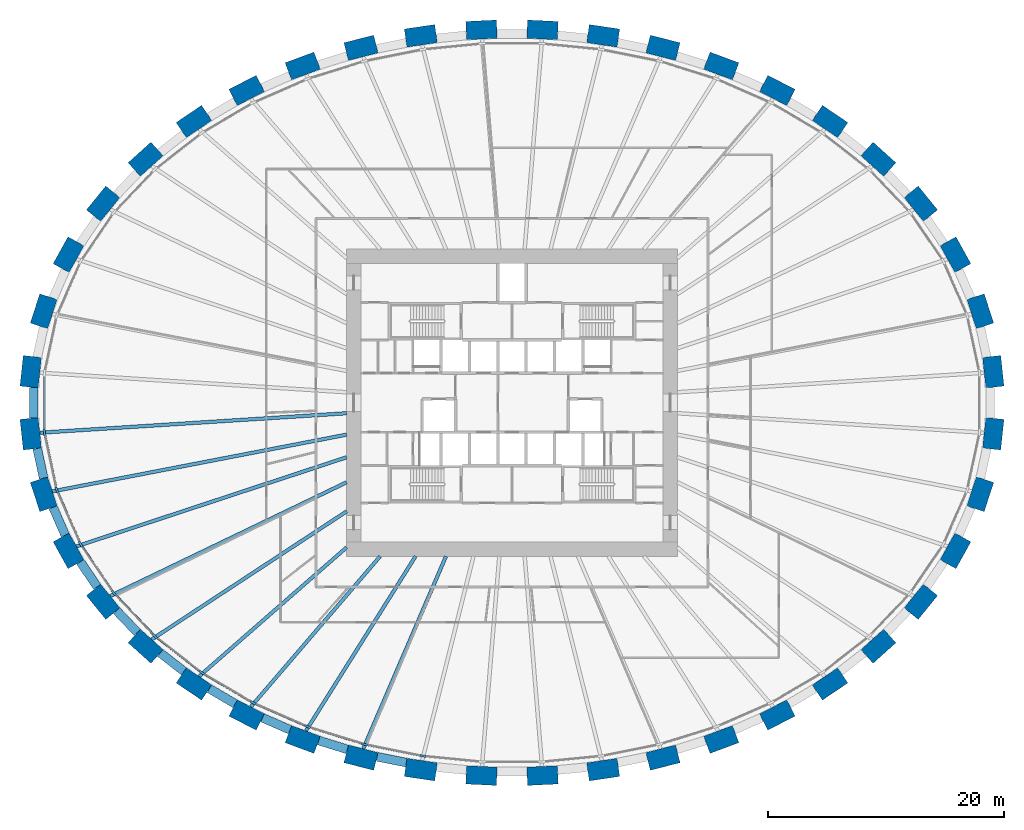
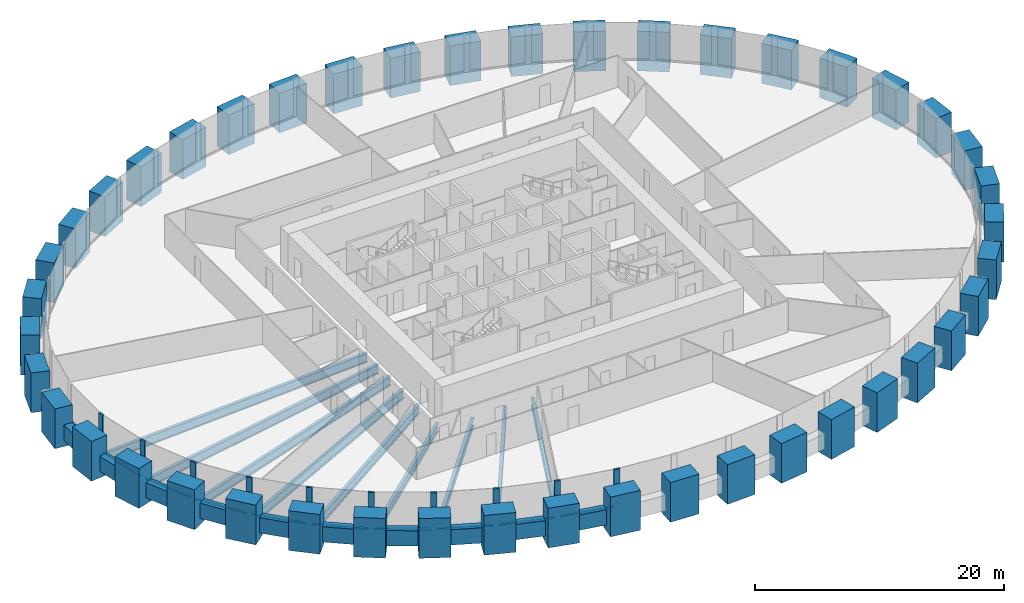
# One storey, part 1 of 11: 44 columns, 20 members, 19 beams, 1 element without a shape of its own.
"""IFC4 building model written with IfcOpenShell, lengths in metres."""

from ifc_helpers import new_model, si_unit, direction, frame, origin, origin_2d, place, context, subcontext, project, spatial, rectangle, i_section, extrude, source, transform, mapped, material, material_profile, profile_set, type_object, element, aggregate, save


model = new_model("IFC4")

# Units and contexts
model_context = context("Model", 3, precision=1e-05, world=origin(), true_north=direction((0.0, 1.0)))
body_context = subcontext(model_context, "Body", "Model", "MODEL_VIEW")
ifc_project = project(units=[si_unit("LENGTHUNIT", "METRE"), si_unit("AREAUNIT", "SQUARE_METRE"), si_unit("VOLUMEUNIT", "CUBIC_METRE"), si_unit("PLANEANGLEUNIT", "RADIAN"), si_unit("MASSUNIT", "GRAM", prefix="KILO")], contexts=[model_context])

# Site, building, storey
site_placement = place(None, origin())
site = spatial("IfcSite", under=ifc_project, at=site_placement, CompositionType="ELEMENT")
building_placement = place(site_placement, origin())
building = spatial("IfcBuilding", under=site, at=building_placement, Name="Embergate Tower", CompositionType="ELEMENT")
storey_placement = place(building_placement, frame((0.0, 0.0, 77.60009765625)))
storey = spatial("IfcBuildingStorey", under=building, at=storey_placement, Name="L15", CompositionType="ELEMENT", Elevation=77.60009765625)

# Columns
ifc_material_1 = material(Name="Concrete C70", Category="concrete")
ifc_material_profile_1 = material_profile(ifc_material_1, rectangle(XDim=1.550048828125, YDim=2.60009765625, at=origin_2d()), Name="RC 1550x2600")
ifc_profile_set_1 = profile_set([ifc_material_profile_1], Name="Concrete C70")
column_type = type_object("IfcColumnType", Name="Ring column RC 1550x2600 C70", PredefinedType="COLUMN", material=ifc_profile_set_1)
shared_shape_1 = source(origin(), body_context, "Body", "SweptSolid", [
    extrude(rectangle(XDim=1.550048828125, YDim=2.60009765625, at=origin_2d()), origin(), (0.0, 0.0, 1.0), 3.900146484375),
])
for number, where, z_axis, x_axis, name in (
    (1, (40.7529296875, 2.623046875, -1.400146484375), (0.0, 0.0, 1.0), (0.99428589498, 0.106749983816, 0.0), "COL-L15-00"),
    (2, (39.65087890625, 7.7470703125, -1.400146484375), (0.0, 0.0, 1.0), (0.950754033697, 0.309946394413, 0.0), "COL-L15-01"),
    (3, (37.550048828125, 12.5380859375, -1.400146484375), (0.0, 0.0, 1.0), (0.873500465855, 0.486823311018, 0.0), "COL-L15-02"),
    (4, (34.615966796875, 16.85302734375, -1.400146484375), (0.0, 0.0, 1.0), (0.775925311702, 0.630824786022, 0.0), "COL-L15-03"),
    (5, (31.02490234375, 20.618896484375, -1.400146484375), (0.0, 0.0, 1.0), (0.669208424634, 0.74307475021, 0.0), "COL-L15-04"),
    (6, (26.930908203125, 23.81396484375, -1.400146484375), (0.0, 0.0, 1.0), (0.560393279442, 0.828226643109, 0.0), "COL-L15-05"),
    (7, (22.464111328125, 26.44091796875, -1.400146484375), (0.0, 0.0, 1.0), (0.453010512651, 0.891505174089, 0.0), "COL-L15-06"),
    (8, (17.721923828125, 28.514892578125, -1.400146484375), (0.0, 0.0, 1.0), (0.348343015724, 0.93736713373, 0.0), "COL-L15-07"),
    (9, (12.785888671875, 30.052001953125, -1.400146484375), (0.0, 0.0, 1.0), (0.24650851817, 0.969140624713, 0.0), "COL-L15-08"),
    (10, (7.720947265625, 31.068115234375, -1.400146484375), (0.0, 0.0, 1.0), (0.146929011949, 0.989147039346, 0.0), "COL-L15-09"),
    (11, (2.58203125, 31.572998046875, -1.400146484375), (0.0, 0.0, 1.0), (0.048814904854, 0.998807841912, 0.0), "COL-L15-10"),
    (12, (-2.58203125, 31.572998046875, -1.400146484375), (0.0, 0.0, 1.0), (-0.048814904854, 0.998807841912, 0.0), "COL-L15-11"),
    (13, (-7.720947265625, 31.068115234375, -1.400146484375), (0.0, 0.0, 1.0), (-0.146929011949, 0.989147039346, 0.0), "COL-L15-12"),
    (14, (-12.785888671875, 30.052001953125, -1.400146484375), (0.0, 0.0, 1.0), (-0.24650851817, 0.969140624713, 0.0), "COL-L15-13"),
    (15, (-17.721923828125, 28.514892578125, -1.400146484375), (0.0, 0.0, 1.0), (-0.348343015724, 0.93736713373, 0.0), "COL-L15-14"),
    (16, (-22.464111328125, 26.44091796875, -1.400146484375), (0.0, 0.0, 1.0), (-0.453010512651, 0.891505174089, 0.0), "COL-L15-15"),
    (17, (-26.930908203125, 23.81396484375, -1.400146484375), (0.0, 0.0, 1.0), (-0.560393279442, 0.828226643109, 0.0), "COL-L15-16"),
    (18, (-31.02490234375, 20.618896484375, -1.400146484375), (0.0, 0.0, 1.0), (-0.669208424634, 0.74307475021, 0.0), "COL-L15-17"),
    (19, (-34.615966796875, 16.85302734375, -1.400146484375), (0.0, 0.0, 1.0), (-0.775925311702, 0.630824786022, 0.0), "COL-L15-18"),
    (20, (-37.550048828125, 12.5380859375, -1.400146484375), (0.0, 0.0, 1.0), (-0.873500465855, 0.486823311018, 0.0), "COL-L15-19"),
    (21, (-39.65087890625, 7.7470703125, -1.400146484375), (0.0, 0.0, 1.0), (-0.950754033697, 0.309946394413, 0.0), "COL-L15-20"),
    (22, (-40.7529296875, 2.623046875, -1.400146484375), (0.0, 0.0, 1.0), (-0.99428589498, 0.106749983816, 0.0), "COL-L15-21"),
    (23, (-40.7529296875, -2.623046875, -1.400146484375), (0.0, 0.0, 1.0), (-0.99428589498, -0.106749983816, 0.0), "COL-L15-22"),
    (24, (-39.65087890625, -7.7470703125, -1.400146484375), (0.0, 0.0, 1.0), (-0.950754033697, -0.309946394413, 0.0), "COL-L15-23"),
    (25, (-37.550048828125, -12.5380859375, -1.400146484375), (0.0, 0.0, 1.0), (-0.873500465855, -0.486823311018, 0.0), "COL-L15-24"),
    (26, (-34.615966796875, -16.85302734375, -1.400146484375), (0.0, 0.0, 1.0), (-0.775925311702, -0.630824786022, 0.0), "COL-L15-25"),
    (27, (-31.02490234375, -20.618896484375, -1.400146484375), (0.0, 0.0, 1.0), (-0.669208424634, -0.74307475021, 0.0), "COL-L15-26"),
    (28, (-26.930908203125, -23.81396484375, -1.400146484375), (0.0, 0.0, 1.0), (-0.560393279442, -0.828226643109, 0.0), "COL-L15-27"),
    (29, (-22.464111328125, -26.44091796875, -1.400146484375), (0.0, 0.0, 1.0), (-0.453010512651, -0.891505174089, 0.0), "COL-L15-28"),
    (30, (-17.721923828125, -28.514892578125, -1.400146484375), (0.0, 0.0, 1.0), (-0.348343015724, -0.93736713373, 0.0), "COL-L15-29"),
    (31, (-12.785888671875, -30.052001953125, -1.400146484375), (0.0, 0.0, 1.0), (-0.24650851817, -0.969140624713, 0.0), "COL-L15-30"),
    (32, (-7.720947265625, -31.068115234375, -1.400146484375), (0.0, 0.0, 1.0), (-0.146929011949, -0.989147039346, 0.0), "COL-L15-31"),
    (33, (-2.58203125, -31.572998046875, -1.400146484375), (0.0, 0.0, 1.0), (-0.048814904854, -0.998807841912, 0.0), "COL-L15-32"),
    (34, (2.58203125, -31.572998046875, -1.400146484375), (0.0, 0.0, 1.0), (0.048814904854, -0.998807841912, 0.0), "COL-L15-33"),
    (35, (7.720947265625, -31.068115234375, -1.400146484375), (0.0, 0.0, 1.0), (0.146929011949, -0.989147039346, 0.0), "COL-L15-34"),
    (36, (12.785888671875, -30.052001953125, -1.400146484375), (0.0, 0.0, 1.0), (0.24650851817, -0.969140624713, 0.0), "COL-L15-35"),
    (37, (17.721923828125, -28.514892578125, -1.400146484375), (0.0, 0.0, 1.0), (0.348343015724, -0.93736713373, 0.0), "COL-L15-36"),
    (38, (22.464111328125, -26.44091796875, -1.400146484375), (0.0, 0.0, 1.0), (0.453010512651, -0.891505174089, 0.0), "COL-L15-37"),
    (39, (26.930908203125, -23.81396484375, -1.400146484375), (0.0, 0.0, 1.0), (0.560393279442, -0.828226643109, 0.0), "COL-L15-38"),
    (40, (31.02490234375, -20.618896484375, -1.400146484375), (0.0, 0.0, 1.0), (0.669208424634, -0.74307475021, 0.0), "COL-L15-39"),
    (41, (34.615966796875, -16.85302734375, -1.400146484375), (0.0, 0.0, 1.0), (0.775925311702, -0.630824786022, 0.0), "COL-L15-40"),
    (42, (37.550048828125, -12.5380859375, -1.400146484375), (0.0, 0.0, 1.0), (0.873500465855, -0.486823311018, 0.0), "COL-L15-41"),
    (43, (39.65087890625, -7.7470703125, -1.400146484375), (0.0, 0.0, 1.0), (0.950754033697, -0.309946394413, 0.0), "COL-L15-42"),
    (44, (40.7529296875, -2.623046875, -1.400146484375), (0.0, 0.0, 1.0), (0.99428589498, -0.106749983816, 0.0), "COL-L15-43"),
):
    element("IfcColumn", number, at=place(storey_placement, frame(where, z_axis=z_axis, x_axis=x_axis)), inside=storey, type_object=column_type, Name=name, PredefinedType="COLUMN", context=body_context, shape_type="MappedRepresentation", body=[
        mapped(shared_shape_1, transform((0.0, 0.0, 0.0))),
    ])

# Beams
ifc_material_profile_2 = material_profile(ifc_material_1, rectangle(XDim=0.75, YDim=1.5, at=origin_2d()), Name="RC 750x1500")
ifc_profile_set_2 = profile_set([ifc_material_profile_2], Name="Concrete C70")
beam_type_1 = type_object("IfcBeamType", Name="Spandrel beam RC 750x1500 C70", PredefinedType="BEAM", material=ifc_profile_set_2)
shared_shape_2 = source(origin(), body_context, "Body", "SweptSolid", [
    extrude(rectangle(XDim=0.75, YDim=1.5, at=origin_2d()), origin(), (0.0, 0.0, 1.0), 2.5498046875),
])
beam_1_placement = place(storey_placement, frame((-33.48388671875, -17.60791015625, 0.0), z_axis=(0.689760361446, -0.724037736432, 0.0), x_axis=(0.724037736432, 0.689760361446, 0.0)))
element("IfcBeam", 45, at=beam_1_placement, inside=storey, type_object=beam_type_1, Name="SPN-L15-25", PredefinedType="BEAM", context=body_context, shape_type="MappedRepresentation", body=[
    mapped(shared_shape_2, transform((0.0, 0.0, 0.0))),
])
shared_shape_3 = source(origin(), body_context, "Body", "SweptSolid", [
    extrude(rectangle(XDim=0.75, YDim=1.5, at=origin_2d()), origin(), (0.0, 0.0, 1.0), 2.5693359375),
])
beam_2_placement = place(storey_placement, frame((-40.201904296875, -3.87109375, 0.0), z_axis=(0.210093623492, -0.977681271871, 0.0), x_axis=(0.977681271871, 0.210093623492, 0.0)))
element("IfcBeam", 46, at=beam_2_placement, inside=storey, type_object=beam_type_1, Name="SPN-L15-22", PredefinedType="BEAM", context=body_context, shape_type="MappedRepresentation", body=[
    mapped(shared_shape_3, transform((0.0, 0.0, 0.0))),
])
shared_shape_4 = source(origin(), body_context, "Body", "SweptSolid", [
    extrude(rectangle(XDim=0.75, YDim=1.5, at=origin_2d()), origin(), (0.0, 0.0, 1.0), 2.56591796875),
])
beam_3_placement = place(storey_placement, frame((-38.862060546875, -8.85693359375, 0.0), z_axis=(0.401427690069, -0.915890719271, 0.0), x_axis=(0.915890719271, 0.401427690069, 0.0)))
element("IfcBeam", 47, at=beam_3_placement, inside=storey, type_object=beam_type_1, Name="SPN-L15-23", PredefinedType="BEAM", context=body_context, shape_type="MappedRepresentation", body=[
    mapped(shared_shape_4, transform((0.0, 0.0, 0.0))),
])
shared_shape_5 = source(origin(), body_context, "Body", "SweptSolid", [
    extrude(rectangle(XDim=0.75, YDim=1.5, at=origin_2d()), origin(), (0.0, 0.0, 1.0), 2.556640625),
])
beam_4_placement = place(storey_placement, frame((-36.555908203125, -13.471923828125, 0.0), z_axis=(0.562432772417, -0.826843018058, 0.0), x_axis=(0.826843018058, 0.562432772417, 0.0)))
element("IfcBeam", 48, at=beam_4_placement, inside=storey, type_object=beam_type_1, Name="SPN-L15-24", PredefinedType="BEAM", context=body_context, shape_type="MappedRepresentation", body=[
    mapped(shared_shape_5, transform((0.0, 0.0, 0.0))),
])
shared_shape_6 = source(origin(), body_context, "Body", "SweptSolid", [
    extrude(rectangle(XDim=0.75, YDim=1.5, at=origin_2d()), origin(), (0.0, 0.0, 1.0), 2.542724609375),
])
beam_5_placement = place(storey_placement, frame((-29.783935546875, -21.18408203125, 0.0), z_axis=(0.788472504965, -0.615070003264, 0.0), x_axis=(0.615070003264, 0.788472504965, 0.0)))
element("IfcBeam", 49, at=beam_5_placement, inside=storey, type_object=beam_type_1, Name="SPN-L15-26", PredefinedType="BEAM", context=body_context, shape_type="MappedRepresentation", body=[
    mapped(shared_shape_6, transform((0.0, 0.0, 0.0))),
])
shared_shape_7 = source(origin(), body_context, "Body", "SweptSolid", [
    extrude(rectangle(XDim=0.75, YDim=1.5, at=origin_2d()), origin(), (0.0, 0.0, 1.0), 2.537109375),
])
beam_6_placement = place(storey_placement, frame((-25.62890625, -24.2099609375, 0.0), z_axis=(0.861993577549, -0.506919196978, 0.0), x_axis=(0.506919196978, 0.861993577549, 0.0)))
element("IfcBeam", 50, at=beam_6_placement, inside=storey, type_object=beam_type_1, Name="SPN-L15-27", PredefinedType="BEAM", context=body_context, shape_type="MappedRepresentation", body=[
    mapped(shared_shape_7, transform((0.0, 0.0, 0.0))),
])
shared_shape_8 = source(origin(), body_context, "Body", "SweptSolid", [
    extrude(rectangle(XDim=0.75, YDim=1.5, at=origin_2d()), origin(), (0.0, 0.0, 1.0), 2.53466796875),
])
beam_7_placement = place(storey_placement, frame((-21.1259765625, -26.677978515625, 0.0), z_axis=(0.91612417153, -0.400894627474, 0.0), x_axis=(0.400894627474, 0.91612417153, 0.0)))
element("IfcBeam", 51, at=beam_7_placement, inside=storey, type_object=beam_type_1, Name="SPN-L15-28", PredefinedType="BEAM", context=body_context, shape_type="MappedRepresentation", body=[
    mapped(shared_shape_8, transform((0.0, 0.0, 0.0))),
])
shared_shape_9 = source(origin(), body_context, "Body", "SweptSolid", [
    extrude(rectangle(XDim=0.75, YDim=1.5, at=origin_2d()), origin(), (0.0, 0.0, 1.0), 2.5322265625),
])
beam_8_placement = place(storey_placement, frame((-16.367919921875, -28.60302734375, 0.0), z_axis=(0.954890803875, -0.296957156294, 0.0), x_axis=(0.296957156294, 0.954890803875, 0.0)))
element("IfcBeam", 52, at=beam_8_placement, inside=storey, type_object=beam_type_1, Name="SPN-L15-29", PredefinedType="BEAM", context=body_context, shape_type="MappedRepresentation", body=[
    mapped(shared_shape_9, transform((0.0, 0.0, 0.0))),
])
shared_shape_10 = source(origin(), body_context, "Body", "SweptSolid", [
    extrude(rectangle(XDim=0.75, YDim=1.5, at=origin_2d()), origin(), (0.0, 0.0, 1.0), 2.5283203125),
])
beam_9_placement = place(storey_placement, frame((-11.426025390625, -29.97900390625, 0.0), z_axis=(0.980483995477, -0.19659891814, 0.0), x_axis=(0.19659891814, 0.980483995477, 0.0)))
element("IfcBeam", 53, at=beam_9_placement, inside=storey, type_object=beam_type_1, Name="SPN-L15-30", PredefinedType="BEAM", context=body_context, shape_type="MappedRepresentation", body=[
    mapped(shared_shape_10, transform((0.0, 0.0, 0.0))),
])
shared_shape_11 = source(origin(), body_context, "Body", "SweptSolid", [
    extrude(rectangle(XDim=0.75, YDim=1.5, at=origin_2d()), origin(), (0.0, 0.0, 1.0), 2.576171875),
])
beam_10_placement = place(storey_placement, frame((-40.4970703125, 1.2880859375, 0.0), z_axis=(0.0, -1.0, 0.0), x_axis=(1.0, 0.0, 0.0)))
element("IfcBeam", 54, at=beam_10_placement, inside=storey, type_object=beam_type_1, Name="SPN-L15-21", PredefinedType="BEAM", context=body_context, shape_type="MappedRepresentation", body=[
    mapped(shared_shape_11, transform((0.0, 0.0, 0.0))),
])
ifc_material_2 = material(Name="Steel Q355B", Category="steel")
ifc_material_profile_3 = material_profile(ifc_material_2, i_section(OverallWidth=0.300048828125, OverallDepth=0.89990234375, WebThickness=0.01611328125, FlangeThickness=0.028076171875, FilletRadius=0.028076171875, at=origin_2d()), Name="HN 900x300x16x28")
ifc_profile_set_3 = profile_set([ifc_material_profile_3], Name="Steel Q355 grade B")
beam_type_2 = type_object("IfcBeamType", Name="Radial girder HN 900x300x16x28", PredefinedType="BEAM", material=ifc_profile_set_3)
shared_shape_12 = source(origin(), body_context, "Body", "SweptSolid", [
    extrude(i_section(OverallWidth=0.300048828125, OverallDepth=0.89990234375, WebThickness=0.01611328125, FlangeThickness=0.028076171875, FilletRadius=0.028076171875, at=origin_2d()), origin(), (0.0, 0.0, 1.0), 26.034423828125),
])
beam_11_placement = place(storey_placement, frame((-39.98193359375, -2.5400390625, -0.650146484375), z_axis=(0.997986864702, 0.063420957753, 0.0), x_axis=(-0.063420957753, 0.997986864702, 0.0)))
element("IfcBeam", 55, at=beam_11_placement, inside=storey, type_object=beam_type_2, Name="GIR-L15-22", PredefinedType="BEAM", context=body_context, shape_type="MappedRepresentation", body=[
    mapped(shared_shape_12, transform((0.0, 0.0, 0.0))),
])
shared_shape_13 = source(origin(), body_context, "Body", "SweptSolid", [
    extrude(i_section(OverallWidth=0.300048828125, OverallDepth=0.89990234375, WebThickness=0.01611328125, FlangeThickness=0.028076171875, FilletRadius=0.028076171875, at=origin_2d()), origin(), (0.0, 0.0, 1.0), 25.373291015625),
])
beam_12_placement = place(storey_placement, frame((-38.9140625, -7.507080078125, -0.650146484375), z_axis=(0.981896748495, 0.189416935078, 0.0), x_axis=(-0.189416935078, 0.981896748495, 0.0)))
element("IfcBeam", 56, at=beam_12_placement, inside=storey, type_object=beam_type_2, Name="GIR-L15-23", PredefinedType="BEAM", context=body_context, shape_type="MappedRepresentation", body=[
    mapped(shared_shape_13, transform((0.0, 0.0, 0.0))),
])
shared_shape_14 = source(origin(), body_context, "Body", "SweptSolid", [
    extrude(i_section(OverallWidth=0.300048828125, OverallDepth=0.89990234375, WebThickness=0.01611328125, FlangeThickness=0.028076171875, FilletRadius=0.028076171875, at=origin_2d()), origin(), (0.0, 0.0, 1.0), 24.0849609375),
])
beam_13_placement = place(storey_placement, frame((-36.873046875, -12.160888671875, -0.650146484375), z_axis=(0.949680038857, 0.313221684748, 0.0), x_axis=(-0.313221684748, 0.949680038857, 0.0)))
element("IfcBeam", 57, at=beam_13_placement, inside=storey, type_object=beam_type_2, Name="GIR-L15-24", PredefinedType="BEAM", context=body_context, shape_type="MappedRepresentation", body=[
    mapped(shared_shape_14, transform((0.0, 0.0, 0.0))),
])
shared_shape_15 = source(origin(), body_context, "Body", "SweptSolid", [
    extrude(i_section(OverallWidth=0.300048828125, OverallDepth=0.89990234375, WebThickness=0.01611328125, FlangeThickness=0.028076171875, FilletRadius=0.028076171875, at=origin_2d()), origin(), (0.0, 0.0, 1.0), 22.210693359375),
])
beam_14_placement = place(storey_placement, frame((-34.014892578125, -16.364013671875, -0.650146484375), z_axis=(0.90114054222, 0.433527073165, 0.0), x_axis=(-0.433527073165, 0.90114054222, 0.0)))
element("IfcBeam", 58, at=beam_14_placement, inside=storey, type_object=beam_type_2, Name="GIR-L15-25", PredefinedType="BEAM", context=body_context, shape_type="MappedRepresentation", body=[
    mapped(shared_shape_15, transform((0.0, 0.0, 0.0))),
])
shared_shape_16 = source(origin(), body_context, "Body", "SweptSolid", [
    extrude(i_section(OverallWidth=0.300048828125, OverallDepth=0.89990234375, WebThickness=0.01611328125, FlangeThickness=0.028076171875, FilletRadius=0.028076171875, at=origin_2d()), origin(), (0.0, 0.0, 1.0), 19.75),
])
beam_15_placement = place(storey_placement, frame((-30.506103515625, -20.04296875, -0.650146484375), z_axis=(0.835749566876, 0.549110791614, 0.0), x_axis=(-0.549110791614, 0.835749566876, 0.0)))
element("IfcBeam", 59, at=beam_15_placement, inside=storey, type_object=beam_type_2, Name="GIR-L15-26", PredefinedType="BEAM", context=body_context, shape_type="MappedRepresentation", body=[
    mapped(shared_shape_16, transform((0.0, 0.0, 0.0))),
])
ifc_material_profile_4 = material_profile(ifc_material_2, i_section(OverallWidth=0.300048828125, OverallDepth=0.800048828125, WebThickness=0.013916015625, FlangeThickness=0.02587890625, FilletRadius=0.028076171875, at=origin_2d()), Name="HN 800x300x14x26")
ifc_profile_set_4 = profile_set([ifc_material_profile_4], Name="Steel Q355 grade B")
beam_type_3 = type_object("IfcBeamType", Name="Radial girder HN 800x300x14x26", PredefinedType="BEAM", material=ifc_profile_set_4)
shared_shape_17 = source(origin(), body_context, "Body", "SweptSolid", [
    extrude(i_section(OverallWidth=0.300048828125, OverallDepth=0.800048828125, WebThickness=0.013916015625, FlangeThickness=0.02587890625, FilletRadius=0.028076171875, at=origin_2d()), origin(), (0.0, 0.0, 1.0), 16.60205078125),
])
beam_16_placement = place(storey_placement, frame((-26.4970703125, -23.172119140625, -0.60009765625), z_axis=(0.752747930404, 0.65830885857, 0.0), x_axis=(-0.65830885857, 0.752747930404, 0.0)))
element("IfcBeam", 60, at=beam_16_placement, inside=storey, type_object=beam_type_3, Name="GIR-L15-27", PredefinedType="BEAM", context=body_context, shape_type="MappedRepresentation", body=[
    mapped(shared_shape_17, transform((0.0, 0.0, 0.0))),
])
shared_shape_18 = source(origin(), body_context, "Body", "SweptSolid", [
    extrude(i_section(OverallWidth=0.300048828125, OverallDepth=0.800048828125, WebThickness=0.013916015625, FlangeThickness=0.02587890625, FilletRadius=0.028076171875, at=origin_2d()), origin(), (0.0, 0.0, 1.0), 16.805908203125),
])
beam_17_placement = place(storey_placement, frame((-22.113037109375, -25.75, -0.60009765625), z_axis=(0.651490955051, 0.758656401467, 0.0), x_axis=(-0.758656401467, 0.651490955051, 0.0)))
element("IfcBeam", 61, at=beam_17_placement, inside=storey, type_object=beam_type_3, Name="GIR-L15-28", PredefinedType="BEAM", context=body_context, shape_type="MappedRepresentation", body=[
    mapped(shared_shape_18, transform((0.0, 0.0, 0.0))),
])
shared_shape_19 = source(origin(), body_context, "Body", "SweptSolid", [
    extrude(i_section(OverallWidth=0.300048828125, OverallDepth=0.800048828125, WebThickness=0.013916015625, FlangeThickness=0.02587890625, FilletRadius=0.028076171875, at=origin_2d()), origin(), (0.0, 0.0, 1.0), 17.463623046875),
])
beam_18_placement = place(storey_placement, frame((-17.451904296875, -27.7890625, -0.60009765625), z_axis=(0.531837384954, 0.846846500828, 0.0), x_axis=(-0.846846500828, 0.531837384954, 0.0)))
element("IfcBeam", 62, at=beam_18_placement, inside=storey, type_object=beam_type_3, Name="GIR-L15-29", PredefinedType="BEAM", context=body_context, shape_type="MappedRepresentation", body=[
    mapped(shared_shape_19, transform((0.0, 0.0, 0.0))),
])
shared_shape_20 = source(origin(), body_context, "Body", "SweptSolid", [
    extrude(i_section(OverallWidth=0.300048828125, OverallDepth=0.800048828125, WebThickness=0.013916015625, FlangeThickness=0.02587890625, FilletRadius=0.028076171875, at=origin_2d()), origin(), (0.0, 0.0, 1.0), 17.7431640625),
])
beam_19_placement = place(storey_placement, frame((-12.594970703125, -29.301025390625, -0.60009765625), z_axis=(0.394915454917, 0.918717466617, 0.0), x_axis=(-0.918717466617, 0.394915454917, 0.0)))
element("IfcBeam", 63, at=beam_19_placement, inside=storey, type_object=beam_type_3, Name="GIR-L15-30", PredefinedType="BEAM", context=body_context, shape_type="MappedRepresentation", body=[
    mapped(shared_shape_20, transform((0.0, 0.0, 0.0))),
])

# Curtain wall, members
ifc_material_3 = material(Name="Aluminium and glass", Category="aluminium")
curtain_wall_type = type_object("IfcCurtainWallType", Name="Recessed office glazing", PredefinedType="NOTDEFINED", material=ifc_material_3)
curtain_wall_placement = place(storey_placement, origin())
curtain_wall = element("IfcCurtainWall", 64, at=curtain_wall_placement, inside=storey, type_object=curtain_wall_type, Name="Recessed office glazing ring", ObjectType="RECESSED OFFICE GLAZING", PredefinedType="USERDEFINED")
ifc_material_4 = material(Name="Aluminium, thermally broken", Category="aluminium")
ifc_material_profile_5 = material_profile(ifc_material_4, rectangle(XDim=0.179931640625, YDim=0.52001953125, at=origin_2d()), Name="AL 520x180")
ifc_profile_set_5 = profile_set([ifc_material_profile_5], Name="Aluminium, thermally broken")
member_type_1 = type_object("IfcMemberType", Name="Office mullion", PredefinedType="MULLION", material=ifc_profile_set_5)
shared_shape_21 = source(origin(), body_context, "Body", "SweptSolid", [
    extrude(rectangle(XDim=0.179931640625, YDim=0.52001953125, at=origin_2d()), origin(), (0.0, 0.0, 1.0), 3.699951171875),
])
member_1_placement = place(storey_placement, frame((-39.59521484375, -2.498291015625, 0.0), z_axis=(0.0, 0.0, 1.0), x_axis=(0.994385324123, 0.105819786286, 0.0)))
member_1 = element("IfcMember", 65, at=member_1_placement, type_object=member_type_1, Name="CW mullion 23", PredefinedType="MULLION", context=body_context, shape_type="MappedRepresentation", body=[
    mapped(shared_shape_21, transform((0.0, 0.0, 0.0))),
])
member_2_placement = place(storey_placement, frame((-38.543212890625, -7.3857421875, 0.0), z_axis=(0.0, 0.0, 1.0), x_axis=(0.951501019702, 0.307645590748, 0.0)))
member_2 = element("IfcMember", 66, at=member_2_placement, type_object=member_type_1, Name="CW mullion 24", PredefinedType="MULLION", context=body_context, shape_type="MappedRepresentation", body=[
    mapped(shared_shape_21, transform((0.0, 0.0, 0.0))),
])
member_3_placement = place(storey_placement, frame((-36.532470703125, -11.970458984375, 0.0), z_axis=(0.0, 0.0, 1.0), x_axis=(0.875007810402, 0.484108801547, 0.0)))
member_3 = element("IfcMember", 67, at=member_3_placement, type_object=member_type_1, Name="CW mullion 25", PredefinedType="MULLION", context=body_context, shape_type="MappedRepresentation", body=[
    mapped(shared_shape_21, transform((0.0, 0.0, 0.0))),
])
member_4_placement = place(storey_placement, frame((-33.712158203125, -16.11767578125, 0.0), z_axis=(0.0, 0.0, 1.0), x_axis=(0.777880241921, 0.628412547002, 0.0)))
member_4 = element("IfcMember", 68, at=member_4_placement, type_object=member_type_1, Name="CW mullion 26", PredefinedType="MULLION", context=body_context, shape_type="MappedRepresentation", body=[
    mapped(shared_shape_21, transform((0.0, 0.0, 0.0))),
])
member_5_placement = place(storey_placement, frame((-30.2451171875, -19.75341796875, 0.0), z_axis=(0.0, 0.0, 1.0), x_axis=(0.671234296295, 0.74124524921, 0.0)))
member_5 = element("IfcMember", 69, at=member_5_placement, type_object=member_type_1, Name="CW mullion 27", PredefinedType="MULLION", context=body_context, shape_type="MappedRepresentation", body=[
    mapped(shared_shape_21, transform((0.0, 0.0, 0.0))),
])
member_6_placement = place(storey_placement, frame((-26.278564453125, -22.849365234375, 0.0), z_axis=(0.0, 0.0, 1.0), x_axis=(0.562223392005, 0.826985403428, 0.0)))
member_6 = element("IfcMember", 70, at=member_6_placement, type_object=member_type_1, Name="CW mullion 28", PredefinedType="MULLION", context=body_context, shape_type="MappedRepresentation", body=[
    mapped(shared_shape_21, transform((0.0, 0.0, 0.0))),
])
member_7_placement = place(storey_placement, frame((-21.935791015625, -25.402587890625, 0.0), z_axis=(0.0, 0.0, 1.0), x_axis=(0.454516044429, 0.890738550506, 0.0)))
member_7 = element("IfcMember", 71, at=member_7_placement, type_object=member_type_1, Name="CW mullion 29", PredefinedType="MULLION", context=body_context, shape_type="MappedRepresentation", body=[
    mapped(shared_shape_21, transform((0.0, 0.0, 0.0))),
])
member_8_placement = place(storey_placement, frame((-17.31591796875, -27.422607421875, 0.0), z_axis=(0.0, 0.0, 1.0), x_axis=(0.349507588628, 0.936933533124, 0.0)))
member_8 = element("IfcMember", 72, at=member_8_placement, type_object=member_type_1, Name="CW mullion 30", PredefinedType="MULLION", context=body_context, shape_type="MappedRepresentation", body=[
    mapped(shared_shape_21, transform((0.0, 0.0, 0.0))),
])
member_9_placement = place(storey_placement, frame((-12.498779296875, -28.9228515625, 0.0), z_axis=(0.0, 0.0, 1.0), x_axis=(0.247315263593, 0.968935065107, 0.0)))
member_9 = element("IfcMember", 73, at=member_9_placement, type_object=member_type_1, Name="CW mullion 31", PredefinedType="MULLION", context=body_context, shape_type="MappedRepresentation", body=[
    mapped(shared_shape_21, transform((0.0, 0.0, 0.0))),
])
member_10_placement = place(storey_placement, frame((-7.549560546875, -29.915283203125, 0.0), z_axis=(0.0, 0.0, 1.0), x_axis=(0.14741410908, 0.98907486089, 0.0)))
member_10 = element("IfcMember", 74, at=member_10_placement, type_object=member_type_1, Name="CW mullion 32", PredefinedType="MULLION", context=body_context, shape_type="MappedRepresentation", body=[
    mapped(shared_shape_21, transform((0.0, 0.0, 0.0))),
])
ifc_material_profile_6 = material_profile(ifc_material_4, rectangle(XDim=0.179931640625, YDim=0.14990234375, at=origin_2d()), Name="AL 150x180")
ifc_profile_set_6 = profile_set([ifc_material_profile_6], Name="Aluminium, thermally broken")
member_type_2 = type_object("IfcMemberType", Name="Office sill transom", PredefinedType="USERDEFINED", material=ifc_profile_set_6)
shared_shape_22 = source(origin(), body_context, "Body", "SweptSolid", [
    extrude(rectangle(XDim=0.179931640625, YDim=0.14990234375, at=origin_2d()), origin(), (0.0, 0.0, 1.0), 4.50390625),
])
member_11_placement = place(storey_placement, frame((-33.53271484375, -16.305908203125, 0.074951171875), z_axis=(0.69015852771, -0.723658211194, 0.0), x_axis=(0.723658211194, 0.69015852771, 0.0)))
member_11 = element("IfcMember", 75, at=member_11_placement, type_object=member_type_2, Name="CW transom 26.1", ObjectType="TRANSOM", PredefinedType="USERDEFINED", context=body_context, shape_type="MappedRepresentation", body=[
    mapped(shared_shape_22, transform((0.0, 0.0, 0.0))),
])
shared_shape_23 = source(origin(), body_context, "Body", "SweptSolid", [
    extrude(rectangle(XDim=0.179931640625, YDim=0.14990234375, at=origin_2d()), origin(), (0.0, 0.0, 1.0), 4.4794921875),
])
member_12_placement = place(storey_placement, frame((-39.540283203125, -2.75244140625, 0.074951171875), z_axis=(0.210381382065, -0.977619391216, 0.0), x_axis=(0.977619391216, 0.210381382065, 0.0)))
member_12 = element("IfcMember", 76, at=member_12_placement, type_object=member_type_2, Name="CW transom 23.1", ObjectType="TRANSOM", PredefinedType="USERDEFINED", context=body_context, shape_type="MappedRepresentation", body=[
    mapped(shared_shape_23, transform((0.0, 0.0, 0.0))),
])
shared_shape_24 = source(origin(), body_context, "Body", "SweptSolid", [
    extrude(rectangle(XDim=0.179931640625, YDim=0.14990234375, at=origin_2d()), origin(), (0.0, 0.0, 1.0), 4.486328125),
])
member_13_placement = place(storey_placement, frame((-38.43896484375, -7.623779296875, 0.074951171875), z_axis=(0.401655089719, -0.915791018138, 0.0), x_axis=(0.915791018138, 0.401655089719, 0.0)))
member_13 = element("IfcMember", 77, at=member_13_placement, type_object=member_type_2, Name="CW transom 24.1", ObjectType="TRANSOM", PredefinedType="USERDEFINED", context=body_context, shape_type="MappedRepresentation", body=[
    mapped(shared_shape_24, transform((0.0, 0.0, 0.0))),
])
shared_shape_25 = source(origin(), body_context, "Body", "SweptSolid", [
    extrude(rectangle(XDim=0.179931640625, YDim=0.14990234375, at=origin_2d()), origin(), (0.0, 0.0, 1.0), 4.4951171875),
])
member_14_placement = place(storey_placement, frame((-36.38623046875, -12.185546875, 0.074951171875), z_axis=(0.562347159837, -0.826901246718, 0.0), x_axis=(0.826901246718, 0.562347159837, 0.0)))
member_14 = element("IfcMember", 78, at=member_14_placement, type_object=member_type_2, Name="CW transom 25.1", ObjectType="TRANSOM", PredefinedType="USERDEFINED", context=body_context, shape_type="MappedRepresentation", body=[
    mapped(shared_shape_25, transform((0.0, 0.0, 0.0))),
])
shared_shape_26 = source(origin(), body_context, "Body", "SweptSolid", [
    extrude(rectangle(XDim=0.179931640625, YDim=0.14990234375, at=origin_2d()), origin(), (0.0, 0.0, 1.0), 4.511474609375),
])
member_15_placement = place(storey_placement, frame((-30.0400390625, -19.91357421875, 0.074951171875), z_axis=(0.788345870827, -0.615232304052, 0.0), x_axis=(0.615232304052, 0.788345870827, 0.0)))
member_15 = element("IfcMember", 79, at=member_15_placement, type_object=member_type_2, Name="CW transom 27.1", ObjectType="TRANSOM", PredefinedType="USERDEFINED", context=body_context, shape_type="MappedRepresentation", body=[
    mapped(shared_shape_26, transform((0.0, 0.0, 0.0))),
])
shared_shape_27 = source(origin(), body_context, "Body", "SweptSolid", [
    extrude(rectangle(XDim=0.179931640625, YDim=0.14990234375, at=origin_2d()), origin(), (0.0, 0.0, 1.0), 4.517578125),
])
member_16_placement = place(storey_placement, frame((-26.054443359375, -22.981201171875, 0.074951171875), z_axis=(0.862064774491, -0.506798110279, 0.0), x_axis=(0.506798110279, 0.862064774491, 0.0)))
member_16 = element("IfcMember", 80, at=member_16_placement, type_object=member_type_2, Name="CW transom 28.1", ObjectType="TRANSOM", PredefinedType="USERDEFINED", context=body_context, shape_type="MappedRepresentation", body=[
    mapped(shared_shape_27, transform((0.0, 0.0, 0.0))),
])
shared_shape_28 = source(origin(), body_context, "Body", "SweptSolid", [
    extrude(rectangle(XDim=0.179931640625, YDim=0.14990234375, at=origin_2d()), origin(), (0.0, 0.0, 1.0), 4.522216796875),
])
member_17_placement = place(storey_placement, frame((-21.697509765625, -25.506591796875, 0.074951171875), z_axis=(0.916232902024, -0.400646064812, 0.0), x_axis=(0.400646064812, 0.916232902024, 0.0)))
member_17 = element("IfcMember", 81, at=member_17_placement, type_object=member_type_2, Name="CW transom 29.1", ObjectType="TRANSOM", PredefinedType="USERDEFINED", context=body_context, shape_type="MappedRepresentation", body=[
    mapped(shared_shape_28, transform((0.0, 0.0, 0.0))),
])
shared_shape_29 = source(origin(), body_context, "Body", "SweptSolid", [
    extrude(rectangle(XDim=0.179931640625, YDim=0.14990234375, at=origin_2d()), origin(), (0.0, 0.0, 1.0), 4.525390625),
])
member_18_placement = place(storey_placement, frame((-17.067626953125, -27.5, 0.074951171875), z_axis=(0.954780911234, -0.297310295051, 0.0), x_axis=(0.297310295051, 0.954780911234, 0.0)))
member_18 = element("IfcMember", 82, at=member_18_placement, type_object=member_type_2, Name="CW transom 30.1", ObjectType="TRANSOM", PredefinedType="USERDEFINED", context=body_context, shape_type="MappedRepresentation", body=[
    mapped(shared_shape_29, transform((0.0, 0.0, 0.0))),
])
shared_shape_30 = source(origin(), body_context, "Body", "SweptSolid", [
    extrude(rectangle(XDim=0.179931640625, YDim=0.14990234375, at=origin_2d()), origin(), (0.0, 0.0, 1.0), 4.52783203125),
])
member_19_placement = place(storey_placement, frame((-12.243896484375, -28.97412109375, 0.074951171875), z_axis=(0.980485162379, -0.19659309844, 0.0), x_axis=(0.19659309844, 0.980485162379, 0.0)))
member_19 = element("IfcMember", 83, at=member_19_placement, type_object=member_type_2, Name="CW transom 31.1", ObjectType="TRANSOM", PredefinedType="USERDEFINED", context=body_context, shape_type="MappedRepresentation", body=[
    mapped(shared_shape_30, transform((0.0, 0.0, 0.0))),
])
shared_shape_31 = source(origin(), body_context, "Body", "SweptSolid", [
    extrude(rectangle(XDim=0.179931640625, YDim=0.14990234375, at=origin_2d()), origin(), (0.0, 0.0, 1.0), 4.4765625),
])
member_20_placement = place(storey_placement, frame((-39.59521484375, 2.23828125, 0.074951171875), z_axis=(0.0, -1.0, 0.0), x_axis=(1.0, 0.0, 0.0)))
member_20 = element("IfcMember", 84, at=member_20_placement, type_object=member_type_2, Name="CW transom 22.1", ObjectType="TRANSOM", PredefinedType="USERDEFINED", context=body_context, shape_type="MappedRepresentation", body=[
    mapped(shared_shape_31, transform((0.0, 0.0, 0.0))),
])
aggregate(curtain_wall, [member_1, member_2, member_3, member_4, member_5, member_6, member_7, member_8, member_9, member_10, member_20, member_12, member_13, member_14, member_11, member_15, member_16, member_17, member_18, member_19])

save(model, "model.ifc")
